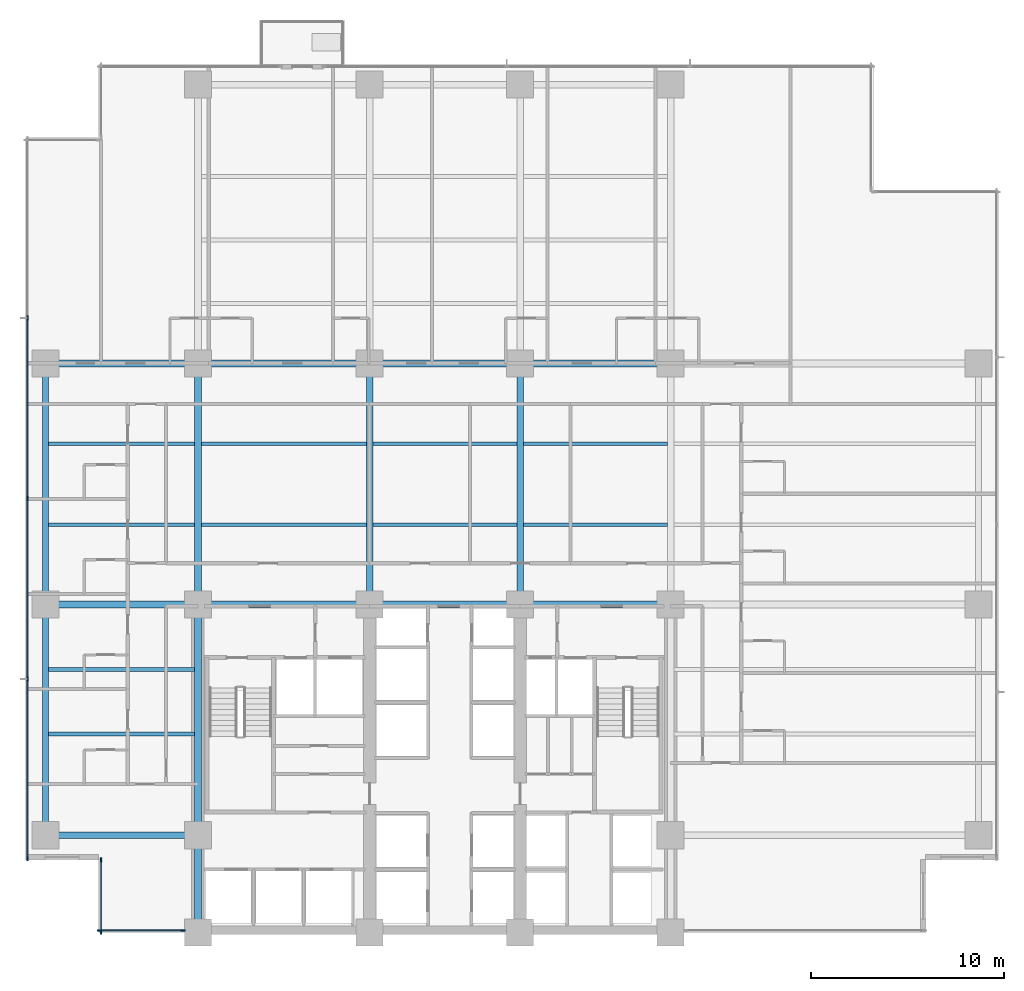
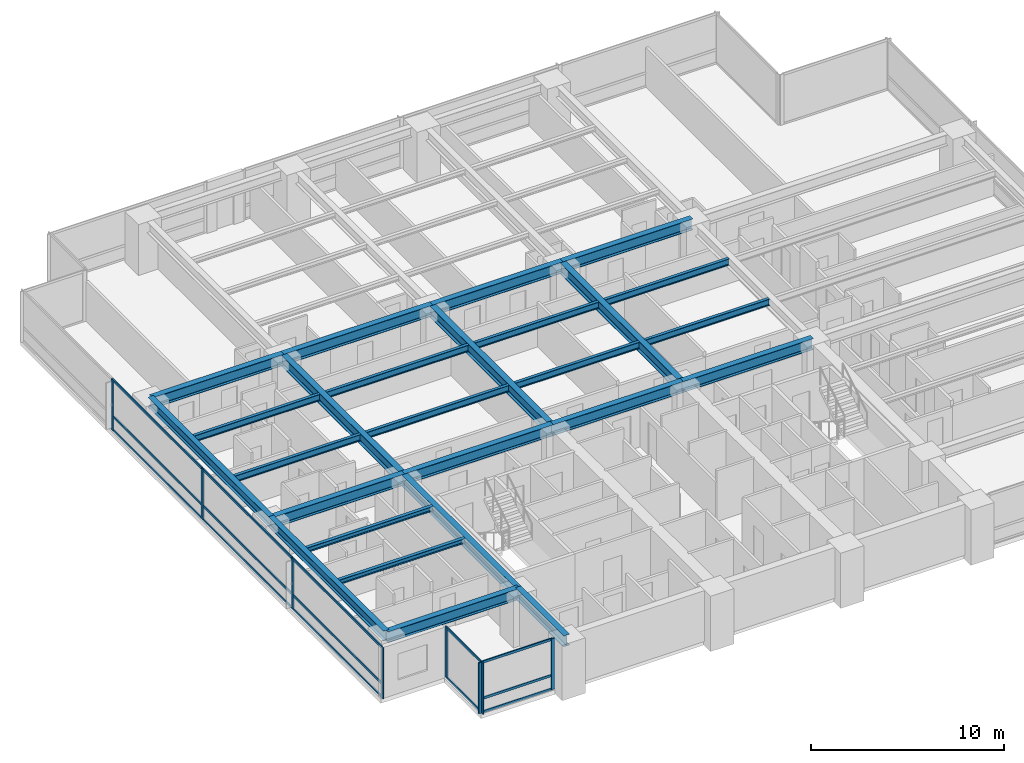
# One storey, part 2 of 18: 26 beams, 22 members, 3 elements without a shape of their own.
"""IFC4 building model written with IfcOpenShell, lengths in metres."""

from ifc_helpers import new_model, si_unit, direction, frame, origin, origin_2d, place, context, subcontext, project, spatial, rectangle, i_section, extrude, material, layer, layer_set, material_profile, profile_set, type_object, element, aggregate, save


model = new_model("IFC4")

# Units and contexts
model_context = context("Model", 3, precision=1e-05, world=origin(), true_north=direction((0.0, 1.0)))
body_context = subcontext(model_context, "Body", "Model", "MODEL_VIEW")
ifc_project = project(units=[si_unit("LENGTHUNIT", "METRE"), si_unit("AREAUNIT", "SQUARE_METRE"), si_unit("VOLUMEUNIT", "CUBIC_METRE"), si_unit("PLANEANGLEUNIT", "RADIAN"), si_unit("MASSUNIT", "GRAM", prefix="KILO")], contexts=[model_context])

# Site, building, storey
site_placement = place(None, origin())
site = spatial("IfcSite", under=ifc_project, at=site_placement, CompositionType="ELEMENT")
building_placement = place(site_placement, origin())
building = spatial("IfcBuilding", under=site, at=building_placement, Name="Qalmaran Belvedere Hotel", CompositionType="ELEMENT")
storey_placement = place(building_placement, frame((0.0, 0.0, 54.39990234375)))
storey = spatial("IfcBuildingStorey", under=building, at=storey_placement, Name="L13", CompositionType="ELEMENT", Elevation=54.39990234375)

# Beams
ifc_material_1 = material(Name="Steel S355JR", Category="steel")
ifc_material_profile_1 = material_profile(ifc_material_1, i_section(OverallWidth=0.202880859375, OverallDepth=0.302978515625, WebThickness=0.007568359375, FlangeThickness=0.01318359375, FilletRadius=0.012939453125, at=origin_2d()), Name="W310X60")
ifc_profile_set_1 = profile_set([ifc_material_profile_1], Name="Steel S355JR")
beam_type_1 = type_object("IfcBeamType", Name="BM-JST-W310X60", PredefinedType="JOIST", material=ifc_profile_set_1)
for number, where, z_axis, x_axis, name in (
    (1, (12.5615234375, 13.800048828125, 3.068603515625), (1.0, 0.0, 0.0), (0.0, 1.0, 0.0), "L13 West Wing Joist 038"),
    (2, (12.5615234375, 17.14990234375, 3.068603515625), (1.0, 0.0, 0.0), (0.0, 1.0, 0.0), "L13 West Wing Joist 040"),
):
    element("IfcBeam", number, at=place(storey_placement, frame(where, z_axis=z_axis, x_axis=x_axis)), inside=storey, type_object=beam_type_1, Name=name, PredefinedType="JOIST", context=body_context, shape_type="SweptSolid", body=[
        extrude(i_section(OverallWidth=0.202880859375, OverallDepth=0.302978515625, WebThickness=0.007568359375, FlangeThickness=0.01318359375, FilletRadius=0.012939453125, at=origin_2d()), origin(), (0.0, 0.0, 1.0), 7.56298828125),
    ])
ifc_material_profile_2 = material_profile(ifc_material_1, i_section(OverallWidth=0.180908203125, OverallDepth=0.4169921875, WebThickness=0.010986328125, FlangeThickness=0.018310546875, FilletRadius=0.014892578125, at=origin_2d()), Name="W410X85")
ifc_profile_set_2 = profile_set([ifc_material_profile_2], Name="Steel S355JR")
beam_type_2 = type_object("IfcBeamType", Name="BM-SB1-W410X85", PredefinedType="BEAM", material=ifc_profile_set_2)
beam_1_placement = place(storey_placement, frame((12.5615234375, 24.64990234375, 3.01171875), z_axis=(1.0, 0.0, 0.0), x_axis=(0.0, 1.0, 0.0)))
element("IfcBeam", 3, at=beam_1_placement, inside=storey, type_object=beam_type_2, Name="L13 West Secondary Beam 028", PredefinedType="BEAM", context=body_context, shape_type="SweptSolid", body=[
    extrude(i_section(OverallWidth=0.180908203125, OverallDepth=0.4169921875, WebThickness=0.010986328125, FlangeThickness=0.018310546875, FilletRadius=0.014892578125, at=origin_2d()), origin(), (0.0, 0.0, 1.0), 7.56298828125),
])
beam_2_placement = place(storey_placement, frame((20.4755859375, 24.64990234375, 3.01171875), z_axis=(1.0, 0.0, 0.0), x_axis=(0.0, 1.0, 0.0)))
element("IfcBeam", 4, at=beam_2_placement, inside=storey, type_object=beam_type_2, Name="L13 Secondary Floor Beam 029", PredefinedType="BEAM", context=body_context, shape_type="SweptSolid", body=[
    extrude(i_section(OverallWidth=0.180908203125, OverallDepth=0.4169921875, WebThickness=0.010986328125, FlangeThickness=0.018310546875, FilletRadius=0.014892578125, at=origin_2d()), origin(), (0.0, 0.0, 1.0), 8.548828125),
])
for number, where, z_axis, x_axis, name in (
    (5, (29.37548828125, 24.64990234375, 3.01171875), (1.0, 0.0, 0.0), (0.0, 1.0, 0.0), "L13 Secondary Floor Beam 030"),
    (6, (37.175537109375, 24.64990234375, 3.01171875), (1.0, 0.0, 0.0), (0.0, 1.0, 0.0), "L13 Secondary Floor Beam 031"),
):
    element("IfcBeam", number, at=place(storey_placement, frame(where, z_axis=z_axis, x_axis=x_axis)), inside=storey, type_object=beam_type_2, Name=name, PredefinedType="BEAM", context=body_context, shape_type="SweptSolid", body=[
        extrude(i_section(OverallWidth=0.180908203125, OverallDepth=0.4169921875, WebThickness=0.010986328125, FlangeThickness=0.018310546875, FilletRadius=0.014892578125, at=origin_2d()), origin(), (0.0, 0.0, 1.0), 7.448974609375),
    ])
beam_3_placement = place(storey_placement, frame((12.5615234375, 28.85009765625, 3.01171875), z_axis=(1.0, 0.0, 0.0), x_axis=(0.0, 1.0, 0.0)))
element("IfcBeam", 7, at=beam_3_placement, inside=storey, type_object=beam_type_2, Name="L13 West Secondary Beam 033", PredefinedType="BEAM", context=body_context, shape_type="SweptSolid", body=[
    extrude(i_section(OverallWidth=0.180908203125, OverallDepth=0.4169921875, WebThickness=0.010986328125, FlangeThickness=0.018310546875, FilletRadius=0.014892578125, at=origin_2d()), origin(), (0.0, 0.0, 1.0), 7.56298828125),
])
beam_4_placement = place(storey_placement, frame((20.4755859375, 28.85009765625, 3.01171875), z_axis=(1.0, 0.0, 0.0), x_axis=(0.0, 1.0, 0.0)))
element("IfcBeam", 8, at=beam_4_placement, inside=storey, type_object=beam_type_2, Name="L13 Secondary Floor Beam 034", PredefinedType="BEAM", context=body_context, shape_type="SweptSolid", body=[
    extrude(i_section(OverallWidth=0.180908203125, OverallDepth=0.4169921875, WebThickness=0.010986328125, FlangeThickness=0.018310546875, FilletRadius=0.014892578125, at=origin_2d()), origin(), (0.0, 0.0, 1.0), 8.548828125),
])
for number, where, z_axis, x_axis, name in (
    (9, (29.37548828125, 28.85009765625, 3.01171875), (1.0, 0.0, 0.0), (0.0, 1.0, 0.0), "L13 Secondary Floor Beam 035"),
    (10, (37.175537109375, 28.85009765625, 3.01171875), (1.0, 0.0, 0.0), (0.0, 1.0, 0.0), "L13 Secondary Floor Beam 036"),
):
    element("IfcBeam", number, at=place(storey_placement, frame(where, z_axis=z_axis, x_axis=x_axis)), inside=storey, type_object=beam_type_2, Name=name, PredefinedType="BEAM", context=body_context, shape_type="SweptSolid", body=[
        extrude(i_section(OverallWidth=0.180908203125, OverallDepth=0.4169921875, WebThickness=0.010986328125, FlangeThickness=0.018310546875, FilletRadius=0.014892578125, at=origin_2d()), origin(), (0.0, 0.0, 1.0), 7.448974609375),
    ])
ifc_material_profile_3 = material_profile(ifc_material_1, i_section(OverallWidth=0.326904296875, OverallDepth=0.6220703125, WebThickness=0.015380859375, FlangeThickness=0.0244140625, FilletRadius=0.02001953125, at=origin_2d()), Name="W610X195")
ifc_profile_set_3 = profile_set([ifc_material_profile_3], Name="Steel S355JR")
beam_type_3 = type_object("IfcBeamType", Name="BM-SP1-W610X195", PredefinedType="SPANDREL", material=ifc_profile_set_3)
beam_5_placement = place(storey_placement, frame((12.39990234375, 8.550048828125, 2.9091796875), z_axis=(0.0, 1.0, 0.0), x_axis=(-1.0, 0.0, 0.0)))
element("IfcBeam", 11, at=beam_5_placement, inside=storey, type_object=beam_type_3, Name="L13 Perimeter Spandrel 01", PredefinedType="SPANDREL", context=body_context, shape_type="SweptSolid", body=[
    extrude(i_section(OverallWidth=0.326904296875, OverallDepth=0.6220703125, WebThickness=0.015380859375, FlangeThickness=0.0244140625, FilletRadius=0.02001953125, at=origin_2d()), origin(), (0.0, 0.0, 1.0), 11.949951171875),
])
beam_6_placement = place(storey_placement, frame((12.39990234375, 20.5, 2.9091796875), z_axis=(0.0, 1.0, 0.0), x_axis=(-1.0, 0.0, 0.0)))
element("IfcBeam", 12, at=beam_6_placement, inside=storey, type_object=beam_type_3, Name="L13 Perimeter Spandrel 02", PredefinedType="SPANDREL", context=body_context, shape_type="SweptSolid", body=[
    extrude(i_section(OverallWidth=0.326904296875, OverallDepth=0.6220703125, WebThickness=0.015380859375, FlangeThickness=0.0244140625, FilletRadius=0.02001953125, at=origin_2d()), origin(), (0.0, 0.0, 1.0), 12.5),
])
ifc_material_profile_4 = material_profile(ifc_material_1, i_section(OverallWidth=0.35498046875, OverallDepth=0.695068359375, WebThickness=0.015380859375, FlangeThickness=0.02490234375, FilletRadius=0.02197265625, at=origin_2d()), Name="W690X217")
ifc_profile_set_4 = profile_set([ifc_material_profile_4], Name="Steel S355JR")
beam_type_4 = type_object("IfcBeamType", Name="BM-Z1-W690X217", PredefinedType="USERDEFINED", material=ifc_profile_set_4)
beam_7_placement = place(storey_placement, frame((20.300048828125, 20.5, 2.87255859375), z_axis=(1.0, 0.0, 0.0), x_axis=(0.0, 1.0, 0.0)))
element("IfcBeam", 13, at=beam_7_placement, inside=storey, type_object=beam_type_4, Name="L13 Interior E-W Girder 08", ObjectType="GIRDER", PredefinedType="USERDEFINED", context=body_context, shape_type="SweptSolid", body=[
    extrude(i_section(OverallWidth=0.35498046875, OverallDepth=0.695068359375, WebThickness=0.015380859375, FlangeThickness=0.02490234375, FilletRadius=0.02197265625, at=origin_2d()), origin(), (0.0, 0.0, 1.0), 8.89990234375),
])
for number, where, z_axis, x_axis, name in (
    (14, (29.199951171875, 20.5, 2.87255859375), (1.0, 0.0, 0.0), (0.0, 1.0, 0.0), "L13 Interior E-W Girder 09"),
    (15, (37.0, 20.5, 2.87255859375), (1.0, 0.0, 0.0), (0.0, 1.0, 0.0), "L13 Interior E-W Girder 10"),
):
    element("IfcBeam", number, at=place(storey_placement, frame(where, z_axis=z_axis, x_axis=x_axis)), inside=storey, type_object=beam_type_4, Name=name, ObjectType="GIRDER", PredefinedType="USERDEFINED", context=body_context, shape_type="SweptSolid", body=[
        extrude(i_section(OverallWidth=0.35498046875, OverallDepth=0.695068359375, WebThickness=0.015380859375, FlangeThickness=0.02490234375, FilletRadius=0.02197265625, at=origin_2d()), origin(), (0.0, 0.0, 1.0), 7.800048828125),
    ])
beam_8_placement = place(storey_placement, frame((20.300048828125, 33.0, 2.87255859375), z_axis=(1.0, 0.0, 0.0), x_axis=(0.0, 1.0, 0.0)))
element("IfcBeam", 16, at=beam_8_placement, inside=storey, type_object=beam_type_4, Name="L13 Interior E-W Girder 11", ObjectType="GIRDER", PredefinedType="USERDEFINED", context=body_context, shape_type="SweptSolid", body=[
    extrude(i_section(OverallWidth=0.35498046875, OverallDepth=0.695068359375, WebThickness=0.015380859375, FlangeThickness=0.02490234375, FilletRadius=0.02197265625, at=origin_2d()), origin(), (0.0, 0.0, 1.0), 8.89990234375),
])
for number, where, z_axis, x_axis, name in (
    (17, (29.199951171875, 33.0, 2.87255859375), (1.0, 0.0, 0.0), (0.0, 1.0, 0.0), "L13 Interior E-W Girder 12"),
    (18, (37.0, 33.0, 2.87255859375), (1.0, 0.0, 0.0), (0.0, 1.0, 0.0), "L13 Interior E-W Girder 13"),
):
    element("IfcBeam", number, at=place(storey_placement, frame(where, z_axis=z_axis, x_axis=x_axis)), inside=storey, type_object=beam_type_4, Name=name, ObjectType="GIRDER", PredefinedType="USERDEFINED", context=body_context, shape_type="SweptSolid", body=[
        extrude(i_section(OverallWidth=0.35498046875, OverallDepth=0.695068359375, WebThickness=0.015380859375, FlangeThickness=0.02490234375, FilletRadius=0.02197265625, at=origin_2d()), origin(), (0.0, 0.0, 1.0), 7.800048828125),
    ])
for number, where, z_axis, x_axis, name in (
    (19, (20.300048828125, 20.5, 2.87255859375), (0.0, 1.0, 0.0), (-1.0, 0.0, 0.0), "L13 Mid-Plate N-S Girder 14"),
    (20, (29.199951171875, 20.5, 2.87255859375), (0.0, 1.0, 0.0), (-1.0, 0.0, 0.0), "L13 Mid-Plate N-S Girder 16"),
    (21, (37.0, 20.5, 2.87255859375), (0.0, 1.0, 0.0), (-1.0, 0.0, 0.0), "L13 Mid-Plate N-S Girder 18"),
):
    element("IfcBeam", number, at=place(storey_placement, frame(where, z_axis=z_axis, x_axis=x_axis)), inside=storey, type_object=beam_type_4, Name=name, ObjectType="GIRDER", PredefinedType="USERDEFINED", context=body_context, shape_type="SweptSolid", body=[
        extrude(i_section(OverallWidth=0.35498046875, OverallDepth=0.695068359375, WebThickness=0.015380859375, FlangeThickness=0.02490234375, FilletRadius=0.02197265625, at=origin_2d()), origin(), (0.0, 0.0, 1.0), 12.5),
    ])
for number, where, z_axis, x_axis, name in (
    (22, (12.39990234375, 8.550048828125, 2.87255859375), (1.0, 0.0, 0.0), (0.0, 1.0, 0.0), "L13 West Wing Girder 22"),
    (23, (12.39990234375, 20.5, 2.87255859375), (1.0, 0.0, 0.0), (0.0, 1.0, 0.0), "L13 West Wing Girder 23"),
    (24, (12.39990234375, 33.0, 2.87255859375), (1.0, 0.0, 0.0), (0.0, 1.0, 0.0), "L13 West Wing Girder 24"),
):
    element("IfcBeam", number, at=place(storey_placement, frame(where, z_axis=z_axis, x_axis=x_axis)), inside=storey, type_object=beam_type_4, Name=name, ObjectType="GIRDER", PredefinedType="USERDEFINED", context=body_context, shape_type="SweptSolid", body=[
        extrude(i_section(OverallWidth=0.35498046875, OverallDepth=0.695068359375, WebThickness=0.015380859375, FlangeThickness=0.02490234375, FilletRadius=0.02197265625, at=origin_2d()), origin(), (0.0, 0.0, 1.0), 7.900146484375),
    ])
beam_9_placement = place(storey_placement, frame((20.300048828125, 3.5, 2.87255859375), z_axis=(0.0, 1.0, 0.0), x_axis=(-1.0, 0.0, 0.0)))
element("IfcBeam", 25, at=beam_9_placement, inside=storey, type_object=beam_type_4, Name="L13 West Core Edge Girder A", ObjectType="GIRDER", PredefinedType="USERDEFINED", context=body_context, shape_type="SweptSolid", body=[
    extrude(i_section(OverallWidth=0.35498046875, OverallDepth=0.695068359375, WebThickness=0.015380859375, FlangeThickness=0.02490234375, FilletRadius=0.02197265625, at=origin_2d()), origin(), (0.0, 0.0, 1.0), 5.050048828125),
])
beam_10_placement = place(storey_placement, frame((20.300048828125, 8.550048828125, 2.87255859375), z_axis=(0.0, 1.0, 0.0), x_axis=(-1.0, 0.0, 0.0)))
element("IfcBeam", 26, at=beam_10_placement, inside=storey, type_object=beam_type_4, Name="L13 West Core Edge Girder B", ObjectType="GIRDER", PredefinedType="USERDEFINED", context=body_context, shape_type="SweptSolid", body=[
    extrude(i_section(OverallWidth=0.35498046875, OverallDepth=0.695068359375, WebThickness=0.015380859375, FlangeThickness=0.02490234375, FilletRadius=0.02197265625, at=origin_2d()), origin(), (0.0, 0.0, 1.0), 11.949951171875),
])

# Curtain wall, members
ifc_material_2 = material(Name="Anodised Bronze Aluminium", Category="aluminium")
ifc_layer = layer(ifc_material_2, 0.2099609375, Name="Anodised Bronze Aluminium")
ifc_layer_set = layer_set([ifc_layer], Name="Anodised Bronze Aluminium")
curtain_wall_type = type_object("IfcCurtainWallType", Name="CW2-TOWER-LOWER", PredefinedType="NOTDEFINED", material=ifc_layer_set)
curtain_wall_1_placement = place(storey_placement, origin())
curtain_wall_1 = element("IfcCurtainWall", 27, at=curtain_wall_1_placement, inside=storey, type_object=curtain_wall_type, Name="L13 Curtain Wall CW2", PredefinedType="NOTDEFINED")
ifc_material_profile_5 = material_profile(ifc_material_2, rectangle(XDim=0.074951171875, YDim=0.219970703125, at=origin_2d()), Name="CWM75X220")
ifc_profile_set_5 = profile_set([ifc_material_profile_5], Name="Anodised Bronze Aluminium")
member_type_1 = type_object("IfcMemberType", Name="CWM-75X220", PredefinedType="MULLION", material=ifc_profile_set_5)
member_1_placement = place(storey_placement, frame((15.1875, 3.6201171875, 0.0), z_axis=(0.0, 0.0, 1.0), x_axis=(0.0, 1.0, 0.0)))
member_1 = element("IfcMember", 28, at=member_1_placement, type_object=member_type_1, Name="CW2 mullion 1", PredefinedType="MULLION", context=body_context, shape_type="SweptSolid", body=[
    extrude(rectangle(XDim=0.074951171875, YDim=0.219970703125, at=origin_2d()), origin(), (0.0, 0.0, 1.0), 3.22021484375),
])
member_2_placement = place(storey_placement, frame((19.5224609375, 3.6201171875, 0.0), z_axis=(0.0, 0.0, 1.0), x_axis=(0.0, 1.0, 0.0)))
member_2 = element("IfcMember", 29, at=member_2_placement, type_object=member_type_1, Name="CW2 mullion 2", PredefinedType="MULLION", context=body_context, shape_type="SweptSolid", body=[
    extrude(rectangle(XDim=0.074951171875, YDim=0.219970703125, at=origin_2d()), origin(), (0.0, 0.0, 1.0), 3.22021484375),
])

curtain_wall_2_placement = place(storey_placement, origin())
curtain_wall_2 = element("IfcCurtainWall", 30, at=curtain_wall_2_placement, inside=storey, type_object=curtain_wall_type, Name="L13 Curtain Wall CW2", PredefinedType="NOTDEFINED")
member_3_placement = place(storey_placement, frame((11.469970703125, 35.35009765625, 0.0), z_axis=(0.0, 0.0, 1.0), x_axis=(1.0, 0.0, 0.0)))
member_3 = element("IfcMember", 31, at=member_3_placement, type_object=member_type_1, Name="CW2 mullion 2", PredefinedType="MULLION", context=body_context, shape_type="SweptSolid", body=[
    extrude(rectangle(XDim=0.074951171875, YDim=0.219970703125, at=origin_2d()), origin(), (0.0, 0.0, 1.0), 3.22021484375),
])
member_4_placement = place(storey_placement, frame((11.469970703125, 26.0, 0.0), z_axis=(0.0, 0.0, 1.0), x_axis=(1.0, 0.0, 0.0)))
member_4 = element("IfcMember", 32, at=member_4_placement, type_object=member_type_1, Name="CW2 mullion 3", PredefinedType="MULLION", context=body_context, shape_type="SweptSolid", body=[
    extrude(rectangle(XDim=0.074951171875, YDim=0.219970703125, at=origin_2d()), origin(), (0.0, 0.0, 1.0), 3.22021484375),
])
member_5_placement = place(storey_placement, frame((11.469970703125, 16.64990234375, 0.0), z_axis=(0.0, 0.0, 1.0), x_axis=(1.0, 0.0, 0.0)))
member_5 = element("IfcMember", 33, at=member_5_placement, type_object=member_type_1, Name="CW2 mullion 4", PredefinedType="MULLION", context=body_context, shape_type="SweptSolid", body=[
    extrude(rectangle(XDim=0.074951171875, YDim=0.219970703125, at=origin_2d()), origin(), (0.0, 0.0, 1.0), 3.22021484375),
])
member_6_placement = place(storey_placement, frame((11.469970703125, 7.33740234375, 0.0), z_axis=(0.0, 0.0, 1.0), x_axis=(1.0, 0.0, 0.0)))
member_6 = element("IfcMember", 34, at=member_6_placement, type_object=member_type_1, Name="CW2 mullion 5", PredefinedType="MULLION", context=body_context, shape_type="SweptSolid", body=[
    extrude(rectangle(XDim=0.074951171875, YDim=0.219970703125, at=origin_2d()), origin(), (0.0, 0.0, 1.0), 3.22021484375),
])

curtain_wall_3_placement = place(storey_placement, origin())
curtain_wall_3 = element("IfcCurtainWall", 35, at=curtain_wall_3_placement, inside=storey, type_object=curtain_wall_type, Name="L13 Curtain Wall CW2", PredefinedType="NOTDEFINED")
member_7_placement = place(storey_placement, frame((15.27001953125, 7.262451171875, 0.0), z_axis=(0.0, 0.0, 1.0), x_axis=(1.0, 0.0, 0.0)))
member_7 = element("IfcMember", 36, at=member_7_placement, type_object=member_type_1, Name="CW2 mullion 1", PredefinedType="MULLION", context=body_context, shape_type="SweptSolid", body=[
    extrude(rectangle(XDim=0.074951171875, YDim=0.219970703125, at=origin_2d()), origin(), (0.0, 0.0, 1.0), 3.22021484375),
])
member_8_placement = place(storey_placement, frame((15.27001953125, 3.53759765625, 0.0), z_axis=(0.0, 0.0, 1.0), x_axis=(1.0, 0.0, 0.0)))
member_8 = element("IfcMember", 37, at=member_8_placement, type_object=member_type_1, Name="CW2 mullion 2", PredefinedType="MULLION", context=body_context, shape_type="SweptSolid", body=[
    extrude(rectangle(XDim=0.074951171875, YDim=0.219970703125, at=origin_2d()), origin(), (0.0, 0.0, 1.0), 3.22021484375),
])

# Member
ifc_material_profile_6 = material_profile(ifc_material_2, rectangle(XDim=0.070068359375, YDim=0.14990234375, at=origin_2d()), Name="CWT70X150")
ifc_profile_set_6 = profile_set([ifc_material_profile_6], Name="Anodised Bronze Aluminium")
member_type_2 = type_object("IfcMemberType", Name="CWT-70X150", PredefinedType="USERDEFINED", material=ifc_profile_set_6)
member_9_placement = place(storey_placement, frame((15.22509765625, 3.6201171875, 0.03515625), z_axis=(1.0, 0.0, 0.0), x_axis=(0.0, 1.0, 0.0)))
member_9 = element("IfcMember", 38, at=member_9_placement, type_object=member_type_2, Name="CW2 transom 1.1", ObjectType="TRANSOM", PredefinedType="USERDEFINED", context=body_context, shape_type="SweptSolid", body=[
    extrude(rectangle(XDim=0.070068359375, YDim=0.14990234375, at=origin_2d()), origin(), (0.0, 0.0, 1.0), 4.260009765625),
])

member_10_placement = place(storey_placement, frame((15.22509765625, 3.6201171875, 0.901611328125), z_axis=(1.0, 0.0, 0.0), x_axis=(0.0, 1.0, 0.0)))
member_10 = element("IfcMember", 39, at=member_10_placement, type_object=member_type_2, Name="CW2 transom 1.2", ObjectType="TRANSOM", PredefinedType="USERDEFINED", context=body_context, shape_type="SweptSolid", body=[
    extrude(rectangle(XDim=0.070068359375, YDim=0.14990234375, at=origin_2d()), origin(), (0.0, 0.0, 1.0), 4.260009765625),
])

member_11_placement = place(storey_placement, frame((15.22509765625, 3.6201171875, 3.18505859375), z_axis=(1.0, 0.0, 0.0), x_axis=(0.0, 1.0, 0.0)))
member_11 = element("IfcMember", 40, at=member_11_placement, type_object=member_type_2, Name="CW2 transom 1.3", ObjectType="TRANSOM", PredefinedType="USERDEFINED", context=body_context, shape_type="SweptSolid", body=[
    extrude(rectangle(XDim=0.070068359375, YDim=0.14990234375, at=origin_2d()), origin(), (0.0, 0.0, 1.0), 4.260009765625),
])

aggregate(curtain_wall_1, [member_1, member_2, member_9, member_10, member_11])

member_12_placement = place(storey_placement, frame((11.469970703125, 35.3125, 0.03515625), z_axis=(0.0, -1.0, 0.0), x_axis=(1.0, 0.0, 0.0)))
member_12 = element("IfcMember", 41, at=member_12_placement, type_object=member_type_2, Name="CW2 transom 2.1", ObjectType="TRANSOM", PredefinedType="USERDEFINED", context=body_context, shape_type="SweptSolid", body=[
    extrude(rectangle(XDim=0.070068359375, YDim=0.14990234375, at=origin_2d()), origin(), (0.0, 0.0, 1.0), 9.27490234375),
])

member_13_placement = place(storey_placement, frame((11.469970703125, 35.3125, 0.901611328125), z_axis=(0.0, -1.0, 0.0), x_axis=(1.0, 0.0, 0.0)))
member_13 = element("IfcMember", 42, at=member_13_placement, type_object=member_type_2, Name="CW2 transom 2.2", ObjectType="TRANSOM", PredefinedType="USERDEFINED", context=body_context, shape_type="SweptSolid", body=[
    extrude(rectangle(XDim=0.070068359375, YDim=0.14990234375, at=origin_2d()), origin(), (0.0, 0.0, 1.0), 9.27490234375),
])

member_14_placement = place(storey_placement, frame((11.469970703125, 35.3125, 3.18505859375), z_axis=(0.0, -1.0, 0.0), x_axis=(1.0, 0.0, 0.0)))
member_14 = element("IfcMember", 43, at=member_14_placement, type_object=member_type_2, Name="CW2 transom 2.3", ObjectType="TRANSOM", PredefinedType="USERDEFINED", context=body_context, shape_type="SweptSolid", body=[
    extrude(rectangle(XDim=0.070068359375, YDim=0.14990234375, at=origin_2d()), origin(), (0.0, 0.0, 1.0), 9.27490234375),
])

member_15_placement = place(storey_placement, frame((11.469970703125, 25.96240234375, 0.03515625), z_axis=(0.0, -1.0, 0.0), x_axis=(1.0, 0.0, 0.0)))
member_15 = element("IfcMember", 44, at=member_15_placement, type_object=member_type_2, Name="CW2 transom 3.1", ObjectType="TRANSOM", PredefinedType="USERDEFINED", context=body_context, shape_type="SweptSolid", body=[
    extrude(rectangle(XDim=0.070068359375, YDim=0.14990234375, at=origin_2d()), origin(), (0.0, 0.0, 1.0), 9.27490234375),
])

member_16_placement = place(storey_placement, frame((11.469970703125, 25.96240234375, 0.901611328125), z_axis=(0.0, -1.0, 0.0), x_axis=(1.0, 0.0, 0.0)))
member_16 = element("IfcMember", 45, at=member_16_placement, type_object=member_type_2, Name="CW2 transom 3.2", ObjectType="TRANSOM", PredefinedType="USERDEFINED", context=body_context, shape_type="SweptSolid", body=[
    extrude(rectangle(XDim=0.070068359375, YDim=0.14990234375, at=origin_2d()), origin(), (0.0, 0.0, 1.0), 9.27490234375),
])

member_17_placement = place(storey_placement, frame((11.469970703125, 25.96240234375, 3.18505859375), z_axis=(0.0, -1.0, 0.0), x_axis=(1.0, 0.0, 0.0)))
member_17 = element("IfcMember", 46, at=member_17_placement, type_object=member_type_2, Name="CW2 transom 3.3", ObjectType="TRANSOM", PredefinedType="USERDEFINED", context=body_context, shape_type="SweptSolid", body=[
    extrude(rectangle(XDim=0.070068359375, YDim=0.14990234375, at=origin_2d()), origin(), (0.0, 0.0, 1.0), 9.27490234375),
])

member_18_placement = place(storey_placement, frame((11.469970703125, 16.612548828125, 0.03515625), z_axis=(0.0, -1.0, 0.0), x_axis=(1.0, 0.0, 0.0)))
member_18 = element("IfcMember", 47, at=member_18_placement, type_object=member_type_2, Name="CW2 transom 4.1", ObjectType="TRANSOM", PredefinedType="USERDEFINED", context=body_context, shape_type="SweptSolid", body=[
    extrude(rectangle(XDim=0.070068359375, YDim=0.14990234375, at=origin_2d()), origin(), (0.0, 0.0, 1.0), 9.237548828125),
])

member_19_placement = place(storey_placement, frame((11.469970703125, 16.612548828125, 0.901611328125), z_axis=(0.0, -1.0, 0.0), x_axis=(1.0, 0.0, 0.0)))
member_19 = element("IfcMember", 48, at=member_19_placement, type_object=member_type_2, Name="CW2 transom 4.2", ObjectType="TRANSOM", PredefinedType="USERDEFINED", context=body_context, shape_type="SweptSolid", body=[
    extrude(rectangle(XDim=0.070068359375, YDim=0.14990234375, at=origin_2d()), origin(), (0.0, 0.0, 1.0), 9.237548828125),
])

member_20_placement = place(storey_placement, frame((11.469970703125, 16.612548828125, 3.18505859375), z_axis=(0.0, -1.0, 0.0), x_axis=(1.0, 0.0, 0.0)))
member_20 = element("IfcMember", 49, at=member_20_placement, type_object=member_type_2, Name="CW2 transom 4.3", ObjectType="TRANSOM", PredefinedType="USERDEFINED", context=body_context, shape_type="SweptSolid", body=[
    extrude(rectangle(XDim=0.070068359375, YDim=0.14990234375, at=origin_2d()), origin(), (0.0, 0.0, 1.0), 9.237548828125),
])

aggregate(curtain_wall_2, [member_3, member_4, member_5, member_6, member_12, member_13, member_14, member_15, member_16, member_17, member_18, member_19, member_20])

member_21_placement = place(storey_placement, frame((15.27001953125, 7.22509765625, 0.03515625), z_axis=(0.0, -1.0, 0.0), x_axis=(1.0, 0.0, 0.0)))
member_21 = element("IfcMember", 50, at=member_21_placement, type_object=member_type_2, Name="CW2 transom 1.1", ObjectType="TRANSOM", PredefinedType="USERDEFINED", context=body_context, shape_type="SweptSolid", body=[
    extrude(rectangle(XDim=0.070068359375, YDim=0.14990234375, at=origin_2d()), origin(), (0.0, 0.0, 1.0), 3.650146484375),
])

member_22_placement = place(storey_placement, frame((15.27001953125, 7.22509765625, 3.18505859375), z_axis=(0.0, -1.0, 0.0), x_axis=(1.0, 0.0, 0.0)))
member_22 = element("IfcMember", 51, at=member_22_placement, type_object=member_type_2, Name="CW2 transom 1.2", ObjectType="TRANSOM", PredefinedType="USERDEFINED", context=body_context, shape_type="SweptSolid", body=[
    extrude(rectangle(XDim=0.070068359375, YDim=0.14990234375, at=origin_2d()), origin(), (0.0, 0.0, 1.0), 3.650146484375),
])

aggregate(curtain_wall_3, [member_7, member_8, member_21, member_22])

save(model, "model.ifc")
